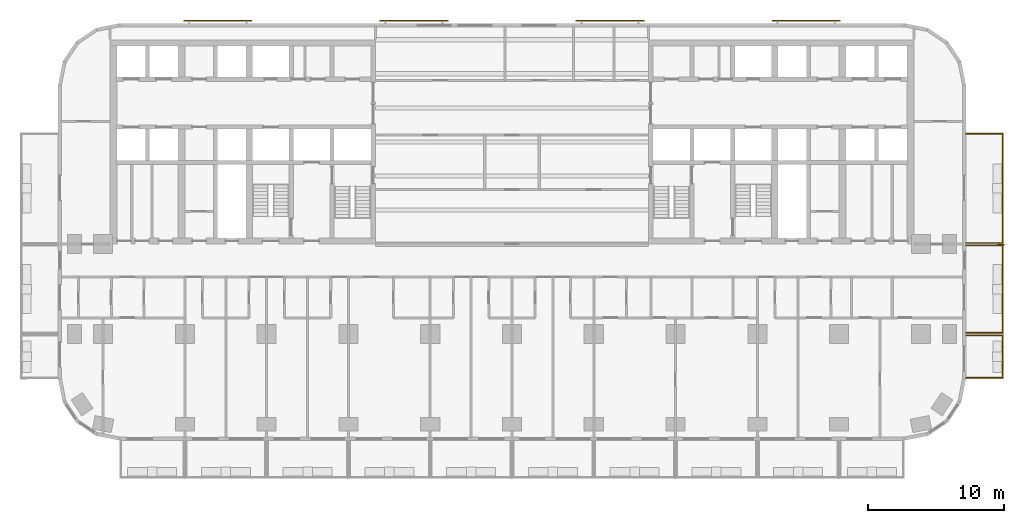
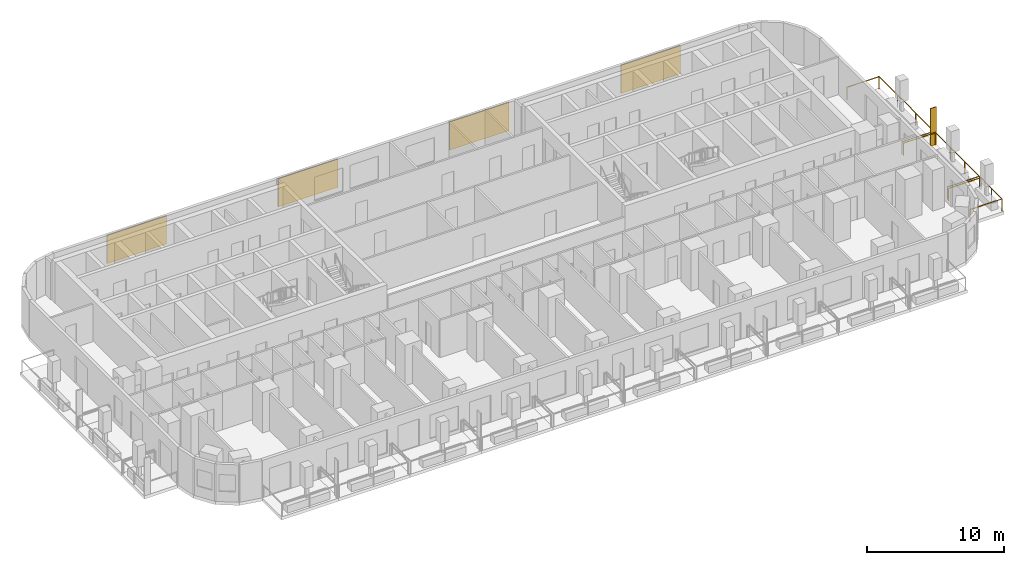
# One storey, part 14 of 15: 5 shading devices, 3 railings.
"""IFC4 building model written with IfcOpenShell, lengths in metres."""

from ifc_helpers import new_model, si_unit, direction, frame, origin, origin_2d, place, context, subcontext, project, spatial, rectangle, circle, extrude, material, layer, layer_set, type_object, element, save


model = new_model("IFC4")

# Units and contexts
model_context = context("Model", 3, precision=1e-05, world=origin(), true_north=direction((0.0, 1.0)))
body_context = subcontext(model_context, "Body", "Model", "MODEL_VIEW")
ifc_project = project(units=[si_unit("LENGTHUNIT", "METRE"), si_unit("AREAUNIT", "SQUARE_METRE"), si_unit("VOLUMEUNIT", "CUBIC_METRE"), si_unit("PLANEANGLEUNIT", "RADIAN"), si_unit("MASSUNIT", "GRAM", prefix="KILO")], contexts=[model_context])

# Site, building, storey
site_placement = place(None, origin())
site = spatial("IfcSite", under=ifc_project, at=site_placement, CompositionType="ELEMENT")
building_placement = place(site_placement, origin())
building = spatial("IfcBuilding", under=site, at=building_placement, Name="Torana Hotel and Residences", CompositionType="ELEMENT")
storey_placement = place(building_placement, frame((0.0, 0.0, 49.199951171875)))
storey = spatial("IfcBuildingStorey", under=building, at=storey_placement, Name="L11", CompositionType="ELEMENT", Elevation=49.199951171875)

# Shading device
ifc_material_1 = material(Name="Black powder coated aluminium", Category="aluminium")
ifc_layer_1 = layer(ifc_material_1, 0.080078125)
ifc_layer_set_1 = layer_set([ifc_layer_1], Name="FN1 VERTICAL FIN 500x80")
shading_device_type_1 = type_object("IfcShadingDeviceType", Name="FN1 VERTICAL FIN 500x80", PredefinedType="USERDEFINED", material=ifc_layer_set_1)
shading_device_placement = place(storey_placement, frame((35.85009765625, -15.0400390625, 0.0), z_axis=(0.0, 0.0, 1.0), x_axis=(0.0, -1.0, 0.0)))
element("IfcShadingDevice", 1, at=shading_device_placement, inside=storey, type_object=shading_device_type_1, Name="Fin 15", ObjectType="FIN", PredefinedType="USERDEFINED", context=body_context, shape_type="SweptSolid", body=[
    extrude(rectangle(XDim=0.080078125, YDim=0.5, at=origin_2d()), origin(), (0.0, 0.0, 1.0), 3.320068359375),
])

# Railings
ifc_material_2 = material(Name="Laminated glass balustrade with black handrail", Category="glass")
railing_type = type_object("IfcRailingType", Name="GR1 BALCONY GUARD 1100 GLASS", PredefinedType="GUARDRAIL", material=ifc_material_2)
railing_1_placement = place(storey_placement, frame((33.300048828125, -21.699951171875, 0.0)))
element("IfcRailing", 2, at=railing_1_placement, inside=storey, type_object=railing_type, Name="Balcony guard 14", PredefinedType="GUARDRAIL", context=body_context, shape_type="SweptSolid", body=[
    extrude(circle(Radius=0.02392578125, at=origin_2d()), frame((0.0, 0.0, 1.076171875), z_axis=(1.0, 0.0, 0.0), x_axis=(0.0, 1.0, 0.0)), (0.0, 0.0, 1.0), 2.699951171875),
    extrude(circle(Radius=0.02392578125, at=origin_2d()), frame((2.699951171875, 0.0, 1.076171875), z_axis=(0.0, -1.0, 0.0), x_axis=(1.0, 0.0, 0.0)), (0.0, 0.0, 1.0), 3.10009765625),
    extrude(circle(Radius=0.02392578125, at=origin_2d()), frame((2.699951171875, -3.10009765625, 1.076171875), z_axis=(-1.0, 0.0, 0.0), x_axis=(0.0, -1.0, 0.0)), (0.0, 0.0, 1.0), 2.699951171875),
    extrude(circle(Radius=0.02099609375, at=origin_2d()), origin(), (0.0, 0.0, 1.0), 1.052001953125),
    extrude(circle(Radius=0.02099609375, at=origin_2d()), frame((2.699951171875, 0.0, 0.0)), (0.0, 0.0, 1.0), 1.052001953125),
    extrude(circle(Radius=0.02099609375, at=origin_2d()), frame((2.699951171875, -1.550048828125, 0.0)), (0.0, 0.0, 1.0), 1.052001953125),
    extrude(circle(Radius=0.02099609375, at=origin_2d()), frame((2.699951171875, -3.10009765625, 0.0)), (0.0, 0.0, 1.0), 1.052001953125),
    extrude(circle(Radius=0.02099609375, at=origin_2d()), frame((0.0, -3.10009765625, 0.0)), (0.0, 0.0, 1.0), 1.052001953125),
])
railing_2_placement = place(storey_placement, frame((33.300048828125, -15.10009765625, 0.0)))
element("IfcRailing", 3, at=railing_2_placement, inside=storey, type_object=railing_type, Name="Balcony guard 15", PredefinedType="GUARDRAIL", context=body_context, shape_type="SweptSolid", body=[
    extrude(circle(Radius=0.02392578125, at=origin_2d()), frame((0.0, 0.0, 1.076171875), z_axis=(1.0, 0.0, 0.0), x_axis=(0.0, 1.0, 0.0)), (0.0, 0.0, 1.0), 2.699951171875),
    extrude(circle(Radius=0.02392578125, at=origin_2d()), frame((2.699951171875, 0.0, 1.076171875), z_axis=(0.0, -1.0, 0.0), x_axis=(1.0, 0.0, 0.0)), (0.0, 0.0, 1.0), 6.39990234375),
    extrude(circle(Radius=0.02392578125, at=origin_2d()), frame((2.699951171875, -6.39990234375, 1.076171875), z_axis=(-1.0, 0.0, 0.0), x_axis=(0.0, -1.0, 0.0)), (0.0, 0.0, 1.0), 2.699951171875),
    extrude(circle(Radius=0.02099609375, at=origin_2d()), origin(), (0.0, 0.0, 1.0), 1.052001953125),
    extrude(circle(Radius=0.02099609375, at=origin_2d()), frame((2.699951171875, 0.0, 0.0)), (0.0, 0.0, 1.0), 1.052001953125),
    extrude(circle(Radius=0.02099609375, at=origin_2d()), frame((2.699951171875, -2.13330078125, 0.0)), (0.0, 0.0, 1.0), 1.052001953125),
    extrude(circle(Radius=0.02099609375, at=origin_2d()), frame((2.699951171875, -4.2666015625, 0.0)), (0.0, 0.0, 1.0), 1.052001953125),
    extrude(circle(Radius=0.02099609375, at=origin_2d()), frame((2.699951171875, -6.39990234375, 0.0)), (0.0, 0.0, 1.0), 1.052001953125),
    extrude(circle(Radius=0.02099609375, at=origin_2d()), frame((0.0, -6.39990234375, 0.0)), (0.0, 0.0, 1.0), 1.052001953125),
])
railing_3_placement = place(storey_placement, frame((33.300048828125, -6.89990234375, 0.0)))
element("IfcRailing", 4, at=railing_3_placement, inside=storey, type_object=railing_type, Name="Balcony guard 16", PredefinedType="GUARDRAIL", context=body_context, shape_type="SweptSolid", body=[
    extrude(circle(Radius=0.02392578125, at=origin_2d()), frame((0.0, 0.0, 1.076171875), z_axis=(1.0, 0.0, 0.0), x_axis=(0.0, 1.0, 0.0)), (0.0, 0.0, 1.0), 2.699951171875),
    extrude(circle(Radius=0.02392578125, at=origin_2d()), frame((2.699951171875, 0.0, 1.076171875), z_axis=(0.0, -1.0, 0.0), x_axis=(1.0, 0.0, 0.0)), (0.0, 0.0, 1.0), 8.0),
    extrude(circle(Radius=0.02392578125, at=origin_2d()), frame((2.699951171875, -8.0, 1.076171875), z_axis=(-1.0, 0.0, 0.0), x_axis=(0.0, -1.0, 0.0)), (0.0, 0.0, 1.0), 2.699951171875),
    extrude(circle(Radius=0.02099609375, at=origin_2d()), origin(), (0.0, 0.0, 1.0), 1.052001953125),
    extrude(circle(Radius=0.02099609375, at=origin_2d()), frame((2.699951171875, 0.0, 0.0)), (0.0, 0.0, 1.0), 1.052001953125),
    extrude(circle(Radius=0.02099609375, at=origin_2d()), frame((2.699951171875, -2.666748046875, 0.0)), (0.0, 0.0, 1.0), 1.052001953125),
    extrude(circle(Radius=0.02099609375, at=origin_2d()), frame((2.699951171875, -5.333251953125, 0.0)), (0.0, 0.0, 1.0), 1.052001953125),
    extrude(circle(Radius=0.02099609375, at=origin_2d()), frame((2.699951171875, -8.0, 0.0)), (0.0, 0.0, 1.0), 1.052001953125),
    extrude(circle(Radius=0.02099609375, at=origin_2d()), frame((0.0, -8.0, 0.0)), (0.0, 0.0, 1.0), 1.052001953125),
])

# Shading devices
ifc_material_3 = material(Name="Concrete C40/50 precast", Category="concrete")
ifc_layer_2 = layer(ifc_material_3, 0.10009765625)
ifc_layer_set_2 = layer_set([ifc_layer_2], Name="SC1 PERFORATED BLOCK SCREEN PANEL 100")
shading_device_type_2 = type_object("IfcShadingDeviceType", Name="SC1 PERFORATED BLOCK SCREEN PANEL 100", PredefinedType="USERDEFINED", material=ifc_layer_set_2)
for number, where, z_axis, x_axis, name in (
    (5, (21.58154296875, 1.39990234375, 0.5), (0.0, 0.0, 1.0), (-1.0, 0.0, 0.0), "Perforated block screen L11"),
    (6, (7.19384765625, 1.39990234375, 0.5), (0.0, 0.0, 1.0), (-1.0, 0.0, 0.0), "Perforated block screen L11"),
    (7, (-7.19384765625, 1.39990234375, 0.5), (0.0, 0.0, 1.0), (-1.0, 0.0, 0.0), "Perforated block screen L11"),
    (8, (-21.58154296875, 1.39990234375, 0.5), (0.0, 0.0, 1.0), (-1.0, 0.0, 0.0), "Perforated block screen L11"),
):
    element("IfcShadingDevice", number, at=place(storey_placement, frame(where, z_axis=z_axis, x_axis=x_axis)), inside=storey, type_object=shading_device_type_2, Name=name, ObjectType="SCREEN", PredefinedType="USERDEFINED", context=body_context, shape_type="SweptSolid", body=[
        extrude(rectangle(XDim=5.0, YDim=0.10009765625, at=origin_2d()), origin(), (0.0, 0.0, 1.0), 2.52001953125),
    ])

save(model, "model.ifc")
